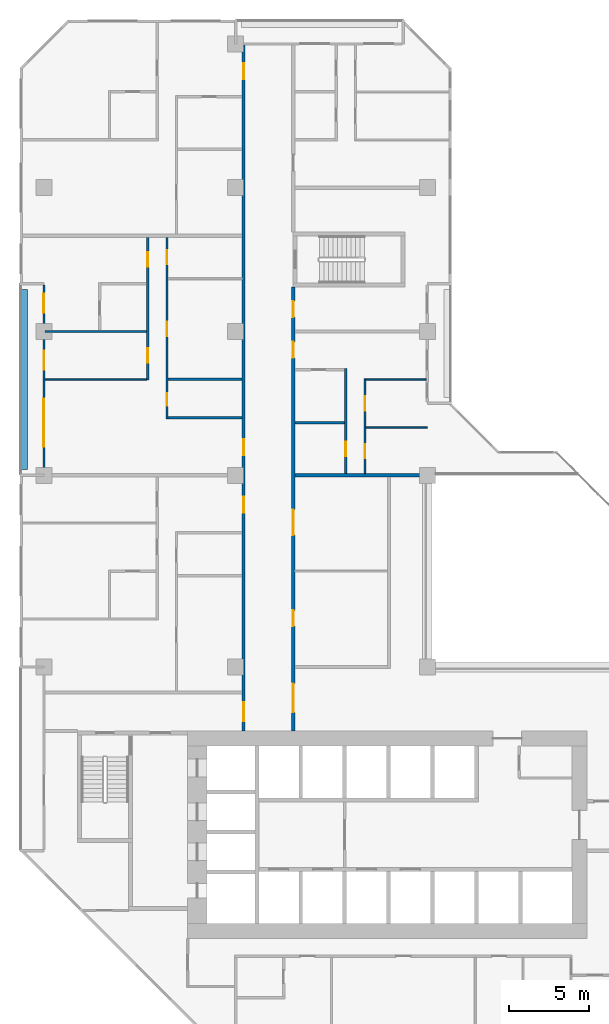
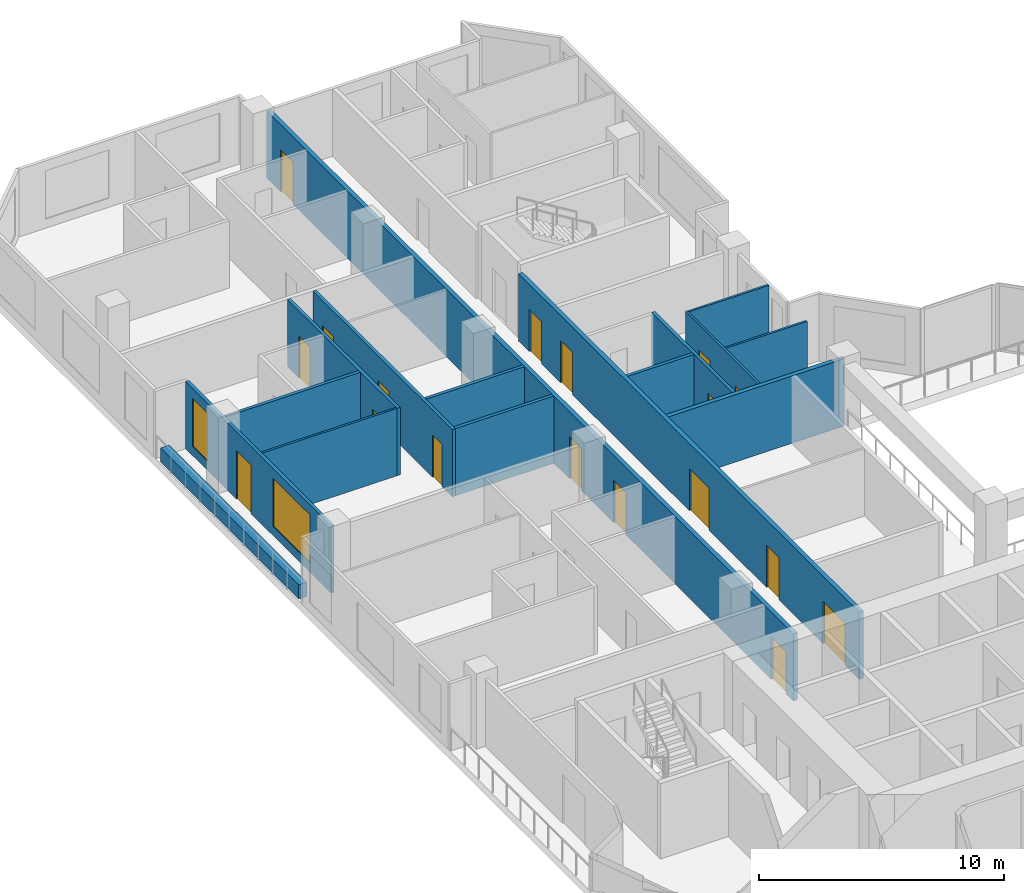
# One storey, part 9 of 15: 18 doors, 16 walls, 2 windows, 20 openings.
"""IFC4 building model written with IfcOpenShell, lengths in metres."""

from ifc_helpers import new_model, si_unit, direction, frame, frame_2d, origin, place, context, subcontext, project, spatial, rectangle, extrude, material, layer, layer_set, type_object, element, fill, save


model = new_model("IFC4")

# Units and contexts
model_context = context("Model", 3, precision=1e-05, world=origin(), true_north=direction((0.0, 1.0)))
body_context = subcontext(model_context, "Body", "Model", "MODEL_VIEW")
ifc_project = project(units=[si_unit("LENGTHUNIT", "METRE"), si_unit("AREAUNIT", "SQUARE_METRE"), si_unit("VOLUMEUNIT", "CUBIC_METRE"), si_unit("PLANEANGLEUNIT", "RADIAN"), si_unit("MASSUNIT", "GRAM", prefix="KILO")], contexts=[model_context])

# Site, building, storey
site_placement = place(None, origin())
site = spatial("IfcSite", under=ifc_project, at=site_placement, CompositionType="ELEMENT")
building_placement = place(site_placement, origin())
building = spatial("IfcBuilding", under=site, at=building_placement, Name="Chenar Terraces", CompositionType="ELEMENT")
storey_placement = place(building_placement, frame((0.0, 0.0, 133.14990234375)))
storey = spatial("IfcBuildingStorey", under=building, at=storey_placement, Name="L31", CompositionType="ELEMENT", Elevation=133.14990234375)

# Wall, openings, doors
ifc_material_1 = material(Name="Gypsum board on steel studs with fire boards", Category="steel")
ifc_layer_1 = layer(ifc_material_1, 0.199951171875)
ifc_layer_set_1 = layer_set([ifc_layer_1], Name="Gypsum board on steel studs with fire boards")
wall_type_1 = type_object("IfcWallType", Name="Corridor wall 200", PredefinedType="PARTITIONING", material=ifc_layer_set_1)
wall_1_placement = place(storey_placement, frame((12.5, 20.0, 0.0), z_axis=(0.0, 0.0, 1.0), x_axis=(0.0, 1.0, 0.0)))
wall_1 = element("IfcWall", 1, at=wall_1_placement, inside=storey, type_object=wall_type_1, Name="Partition L31-035", PredefinedType="PARTITIONING", context=body_context, shape_type="SweptSolid", body=[
    extrude(rectangle(XDim=42.926025390625, YDim=0.199951171875, at=frame_2d((21.462890625, 0.0))), origin(), (0.0, 0.0, 1.0), 3.35009765625),
])
opening_1_placement = place(wall_1_placement, frame((17.25, 0.0, 0.0)))
opening_1 = element("IfcOpeningElement", 2, at=opening_1_placement, cuts=wall_1, Name="Opening DL31-43", PredefinedType="OPENING", context=body_context, shape_type="SweptSolid", body=[
    extrude(rectangle(XDim=1.0, YDim=2.10009765625, at=frame_2d((0.5, 1.050048828125))), frame((0.0, 0.10986328125, 0.0), z_axis=(0.0, -1.0, 0.0), x_axis=(1.0, 0.0, 0.0)), (0.0, 0.0, 1.0), 0.219970703125),
])
opening_2_placement = place(wall_1_placement, frame((40.800048828125, 0.0, 0.0)))
opening_2 = element("IfcOpeningElement", 3, at=opening_2_placement, cuts=wall_1, Name="Opening DL31-49", PredefinedType="OPENING", context=body_context, shape_type="SweptSolid", body=[
    extrude(rectangle(XDim=1.0, YDim=2.10009765625, at=frame_2d((0.5, 1.050048828125))), frame((0.0, 0.10986328125, 0.0), z_axis=(0.0, -1.0, 0.0), x_axis=(1.0, 0.0, 0.0)), (0.0, 0.0, 1.0), 0.219970703125),
])
opening_3_placement = place(wall_1_placement, frame((0.60009765625, 0.0, 0.0)))
opening_3 = element("IfcOpeningElement", 4, at=opening_3_placement, cuts=wall_1, Name="Opening DL31-52", PredefinedType="OPENING", context=body_context, shape_type="SweptSolid", body=[
    extrude(rectangle(XDim=1.199951171875, YDim=2.10009765625, at=frame_2d((0.60009765625, 1.050048828125))), frame((0.0, 0.10986328125, 0.0), z_axis=(0.0, -1.0, 0.0), x_axis=(1.0, 0.0, 0.0)), (0.0, 0.0, 1.0), 0.219970703125),
])
opening_4_placement = place(wall_1_placement, frame((13.64990234375, 0.0, 0.0)))
opening_4 = element("IfcOpeningElement", 5, at=opening_4_placement, cuts=wall_1, Name="Opening DL31-73", PredefinedType="OPENING", context=body_context, shape_type="SweptSolid", body=[
    extrude(rectangle(XDim=1.0, YDim=2.10009765625, at=frame_2d((0.5, 1.050048828125))), frame((0.0, 0.10986328125, 0.0), z_axis=(0.0, -1.0, 0.0), x_axis=(1.0, 0.0, 0.0)), (0.0, 0.0, 1.0), 0.219970703125),
])
ifc_material_2 = material(Name="Steel-framed fire-resisting door leaf", Category="steel")
door_type_1 = type_object("IfcDoorType", Name="Fire door FD30S 1000 x 2100", OperationType="SINGLE_SWING_LEFT", PredefinedType="DOOR", material=ifc_material_2)
door_1_placement = place(opening_1_placement, origin())
door_1 = element("IfcDoor", 6, at=door_1_placement, inside=storey, type_object=door_type_1, Name="Door DL31-43", OperationType="SINGLE_SWING_LEFT", OverallHeight=2.10009765625, OverallWidth=1.0, PredefinedType="DOOR", context=body_context, shape_type="SweptSolid", body=[
    extrude(rectangle(XDim=1.0, YDim=2.10009765625, at=frame_2d((0.5, 1.050048828125))), frame((0.0, 0.02490234375, 0.0), z_axis=(0.0, -1.0, 0.0), x_axis=(1.0, 0.0, 0.0)), (0.0, 0.0, 1.0), 0.050048828125),
])
fill(opening_1, door_1)
door_2_placement = place(opening_2_placement, origin())
door_2 = element("IfcDoor", 7, at=door_2_placement, inside=storey, type_object=door_type_1, Name="Door DL31-49", OperationType="SINGLE_SWING_RIGHT", OverallHeight=2.10009765625, OverallWidth=1.0, PredefinedType="DOOR", context=body_context, shape_type="SweptSolid", body=[
    extrude(rectangle(XDim=1.0, YDim=2.10009765625, at=frame_2d((0.5, 1.050048828125))), frame((0.0, 0.02490234375, 0.0), z_axis=(0.0, -1.0, 0.0), x_axis=(1.0, 0.0, 0.0)), (0.0, 0.0, 1.0), 0.050048828125),
])
fill(opening_2, door_2)
door_3_placement = place(opening_4_placement, origin())
door_3 = element("IfcDoor", 8, at=door_3_placement, inside=storey, type_object=door_type_1, Name="Door DL31-73", OperationType="SINGLE_SWING_RIGHT", OverallHeight=2.10009765625, OverallWidth=1.0, PredefinedType="DOOR", context=body_context, shape_type="SweptSolid", body=[
    extrude(rectangle(XDim=1.0, YDim=2.10009765625, at=frame_2d((0.5, 1.050048828125))), frame((0.0, 0.02490234375, 0.0), z_axis=(0.0, -1.0, 0.0), x_axis=(1.0, 0.0, 0.0)), (0.0, 0.0, 1.0), 0.050048828125),
])
fill(opening_4, door_3)
ifc_material_3 = material(Name="Steel-framed fire-resisting door leaf", Category="steel")
door_type_2 = type_object("IfcDoorType", Name="Fire door FD30S 1200 x 2100", OperationType="SINGLE_SWING_LEFT", PredefinedType="DOOR", material=ifc_material_3)
door_4_placement = place(opening_3_placement, origin())
door_4 = element("IfcDoor", 9, at=door_4_placement, inside=storey, type_object=door_type_2, Name="Door DL31-52", OperationType="SINGLE_SWING_RIGHT", OverallHeight=2.10009765625, OverallWidth=1.199951171875, PredefinedType="DOOR", context=body_context, shape_type="SweptSolid", body=[
    extrude(rectangle(XDim=1.199951171875, YDim=2.10009765625, at=frame_2d((0.60009765625, 1.050048828125))), frame((0.0, 0.02490234375, 0.0), z_axis=(0.0, -1.0, 0.0), x_axis=(1.0, 0.0, 0.0)), (0.0, 0.0, 1.0), 0.050048828125),
])
fill(opening_3, door_4)

wall_2_placement = place(storey_placement, frame((15.60009765625, 20.0, 0.0), z_axis=(0.0, 0.0, 1.0), x_axis=(0.0, 1.0, 0.0)))
wall_2 = element("IfcWall", 10, at=wall_2_placement, inside=storey, type_object=wall_type_1, Name="Partition L31-037", PredefinedType="PARTITIONING", context=body_context, shape_type="SweptSolid", body=[
    extrude(rectangle(XDim=27.77490234375, YDim=0.199951171875, at=frame_2d((13.887451171875, 0.0))), origin(), (0.0, 0.0, 1.0), 3.35009765625),
])
opening_5_placement = place(wall_2_placement, frame((6.550048828125, 0.0, 0.0)))
opening_5 = element("IfcOpeningElement", 11, at=opening_5_placement, cuts=wall_2, Name="Opening DL31-1", PredefinedType="OPENING", context=body_context, shape_type="SweptSolid", body=[
    extrude(rectangle(XDim=1.0, YDim=2.10009765625, at=frame_2d((0.5, 1.050048828125))), frame((0.0, 0.10986328125, 0.0), z_axis=(0.0, -1.0, 0.0), x_axis=(1.0, 0.0, 0.0)), (0.0, 0.0, 1.0), 0.219970703125),
])
opening_6_placement = place(wall_2_placement, frame((12.25, 0.0, 0.0)))
opening_6 = element("IfcOpeningElement", 12, at=opening_6_placement, cuts=wall_2, Name="Opening DL31-2", PredefinedType="OPENING", context=body_context, shape_type="SweptSolid", body=[
    extrude(rectangle(XDim=1.60009765625, YDim=2.10009765625, at=frame_2d((0.800048828125, 1.050048828125))), frame((0.0, 0.10986328125, 0.0), z_axis=(0.0, -1.0, 0.0), x_axis=(1.0, 0.0, 0.0)), (0.0, 0.0, 1.0), 0.219970703125),
])
opening_7_placement = place(wall_2_placement, frame((23.35009765625, 0.0, 0.0)))
opening_7 = element("IfcOpeningElement", 13, at=opening_7_placement, cuts=wall_2, Name="Opening DL31-32", PredefinedType="OPENING", context=body_context, shape_type="SweptSolid", body=[
    extrude(rectangle(XDim=1.0, YDim=2.10009765625, at=frame_2d((0.5, 1.050048828125))), frame((0.0, 0.10986328125, 0.0), z_axis=(0.0, -1.0, 0.0), x_axis=(1.0, 0.0, 0.0)), (0.0, 0.0, 1.0), 0.219970703125),
])
opening_8_placement = place(wall_2_placement, frame((1.14990234375, 0.0, 0.0)))
opening_8 = element("IfcOpeningElement", 14, at=opening_8_placement, cuts=wall_2, Name="Opening DL31-51", PredefinedType="OPENING", context=body_context, shape_type="SweptSolid", body=[
    extrude(rectangle(XDim=1.800048828125, YDim=2.10009765625, at=frame_2d((0.89990234375, 1.050048828125))), frame((0.0, 0.10986328125, 0.0), z_axis=(0.0, -1.0, 0.0), x_axis=(1.0, 0.0, 0.0)), (0.0, 0.0, 1.0), 0.219970703125),
])
opening_9_placement = place(wall_2_placement, frame((25.89990234375, 0.0, 0.0)))
opening_9 = element("IfcOpeningElement", 15, at=opening_9_placement, cuts=wall_2, Name="Opening DL31-54", PredefinedType="OPENING", context=body_context, shape_type="SweptSolid", body=[
    extrude(rectangle(XDim=1.0, YDim=2.10009765625, at=frame_2d((0.5, 1.050048828125))), frame((0.0, 0.10986328125, 0.0), z_axis=(0.0, -1.0, 0.0), x_axis=(1.0, 0.0, 0.0)), (0.0, 0.0, 1.0), 0.219970703125),
])
ifc_material_4 = material(Name="Steel-framed fire-resisting door leaf", Category="steel")
door_type_3 = type_object("IfcDoorType", Name="Fire door FD60 1000 x 2100", OperationType="SINGLE_SWING_LEFT", PredefinedType="DOOR", material=ifc_material_4)
door_5_placement = place(opening_5_placement, frame((1.0, 0.0, 0.0), z_axis=(0.0, 0.0, 1.0), x_axis=(-1.0, 0.0, 0.0)))
door_5 = element("IfcDoor", 16, at=door_5_placement, inside=storey, type_object=door_type_3, Name="Door DL31-1", OperationType="SINGLE_SWING_LEFT", OverallHeight=2.10009765625, OverallWidth=1.0, PredefinedType="DOOR", context=body_context, shape_type="SweptSolid", body=[
    extrude(rectangle(XDim=1.0, YDim=2.10009765625, at=frame_2d((0.5, 1.050048828125))), frame((0.0, 0.02490234375, 0.0), z_axis=(0.0, -1.0, 0.0), x_axis=(1.0, 0.0, 0.0)), (0.0, 0.0, 1.0), 0.050048828125),
])
fill(opening_5, door_5)
door_6_placement = place(opening_7_placement, frame((1.0, 0.0, 0.0), z_axis=(0.0, 0.0, 1.0), x_axis=(-1.0, 0.0, 0.0)))
door_6 = element("IfcDoor", 17, at=door_6_placement, inside=storey, type_object=door_type_3, Name="Door DL31-32", OperationType="SINGLE_SWING_LEFT", OverallHeight=2.10009765625, OverallWidth=1.0, PredefinedType="DOOR", context=body_context, shape_type="SweptSolid", body=[
    extrude(rectangle(XDim=1.0, YDim=2.10009765625, at=frame_2d((0.5, 1.050048828125))), frame((0.0, 0.02490234375, 0.0), z_axis=(0.0, -1.0, 0.0), x_axis=(1.0, 0.0, 0.0)), (0.0, 0.0, 1.0), 0.050048828125),
])
fill(opening_7, door_6)
door_7_placement = place(opening_9_placement, frame((1.0, 0.0, 0.0), z_axis=(0.0, 0.0, 1.0), x_axis=(-1.0, 0.0, 0.0)))
door_7 = element("IfcDoor", 18, at=door_7_placement, inside=storey, type_object=door_type_3, Name="Door DL31-54", OperationType="SINGLE_SWING_RIGHT", OverallHeight=2.10009765625, OverallWidth=1.0, PredefinedType="DOOR", context=body_context, shape_type="SweptSolid", body=[
    extrude(rectangle(XDim=1.0, YDim=2.10009765625, at=frame_2d((0.5, 1.050048828125))), frame((0.0, 0.02490234375, 0.0), z_axis=(0.0, -1.0, 0.0), x_axis=(1.0, 0.0, 0.0)), (0.0, 0.0, 1.0), 0.050048828125),
])
fill(opening_9, door_7)
ifc_material_5 = material(Name="Steel-framed fire-resisting door leaf", Category="steel")
door_type_4 = type_object("IfcDoorType", Name="Fire double door FD60 1600 x 2100", OperationType="DOUBLE_DOOR_SINGLE_SWING", PredefinedType="DOOR", material=ifc_material_5)
door_8_placement = place(opening_6_placement, frame((1.60009765625, 0.0, 0.0), z_axis=(0.0, 0.0, 1.0), x_axis=(-1.0, 0.0, 0.0)))
door_8 = element("IfcDoor", 19, at=door_8_placement, inside=storey, type_object=door_type_4, Name="Door DL31-2", OperationType="DOUBLE_DOOR_SINGLE_SWING", OverallHeight=2.10009765625, OverallWidth=1.60009765625, PredefinedType="DOOR", context=body_context, shape_type="SweptSolid", body=[
    extrude(rectangle(XDim=1.60009765625, YDim=2.10009765625, at=frame_2d((0.800048828125, 1.050048828125))), frame((0.0, 0.02490234375, 0.0), z_axis=(0.0, -1.0, 0.0), x_axis=(1.0, 0.0, 0.0)), (0.0, 0.0, 1.0), 0.050048828125),
])
fill(opening_6, door_8)
ifc_material_6 = material(Name="Steel-framed fire-resisting door leaf", Category="steel")
door_type_5 = type_object("IfcDoorType", Name="Fire double door FD60 1800 x 2100", OperationType="DOUBLE_DOOR_SINGLE_SWING", PredefinedType="DOOR", material=ifc_material_6)
door_9_placement = place(opening_8_placement, frame((1.800048828125, 0.0, 0.0), z_axis=(0.0, 0.0, 1.0), x_axis=(-1.0, 0.0, 0.0)))
door_9 = element("IfcDoor", 20, at=door_9_placement, inside=storey, type_object=door_type_5, Name="Door DL31-51", OperationType="DOUBLE_DOOR_SINGLE_SWING", OverallHeight=2.10009765625, OverallWidth=1.800048828125, PredefinedType="DOOR", context=body_context, shape_type="SweptSolid", body=[
    extrude(rectangle(XDim=1.800048828125, YDim=2.10009765625, at=frame_2d((0.89990234375, 1.050048828125))), frame((0.0, 0.02490234375, 0.0), z_axis=(0.0, -1.0, 0.0), x_axis=(1.0, 0.0, 0.0)), (0.0, 0.0, 1.0), 0.050048828125),
])
fill(opening_8, door_9)

# Wall, openings, windows, door
ifc_material_7 = material(Name="Aluminium framed glazing", Category="aluminium")
ifc_layer_2 = layer(ifc_material_7, 0.14990234375)
ifc_layer_set_2 = layer_set([ifc_layer_2], Name="Aluminium framed glazing")
wall_type_2 = type_object("IfcWallType", Name="Glazed loggia back wall 150", PredefinedType="SOLIDWALL", material=ifc_layer_set_2)
wall_3_placement = place(storey_placement, frame((0.0, 47.925048828125, 0.0), z_axis=(0.0, 0.0, 1.0), x_axis=(0.0, -1.0, 0.0)))
wall_3 = element("IfcWall", 21, at=wall_3_placement, inside=storey, type_object=wall_type_2, Name="Glazed loggia back wall", PredefinedType="SOLIDWALL", context=body_context, shape_type="SweptSolid", body=[
    extrude(rectangle(XDim=11.85009765625, YDim=0.14990234375, at=frame_2d((5.925048828125, 0.0))), origin(), (0.0, 0.0, 1.0), 3.35009765625),
])
opening_10_placement = place(wall_3_placement, frame((0.5625, 0.0, 0.449951171875)))
opening_10 = element("IfcOpeningElement", 22, at=opening_10_placement, cuts=wall_3, Name="Opening W120x240", PredefinedType="OPENING", context=body_context, shape_type="SweptSolid", body=[
    extrude(rectangle(XDim=1.199951171875, YDim=2.39990234375, at=frame_2d((0.60009765625, 1.199951171875))), frame((0.0, 0.0849609375, 0.0), z_axis=(0.0, -1.0, 0.0), x_axis=(1.0, 0.0, 0.0)), (0.0, 0.0, 1.0), 0.169921875),
])
opening_11_placement = place(wall_3_placement, frame((4.125, 0.0, 0.0)))
opening_11 = element("IfcOpeningElement", 23, at=opening_11_placement, cuts=wall_3, Name="Opening DL31-G3", PredefinedType="OPENING", context=body_context, shape_type="SweptSolid", body=[
    extrude(rectangle(XDim=1.199951171875, YDim=2.39990234375, at=frame_2d((0.60009765625, 1.199951171875))), frame((0.0, 0.0849609375, 0.0), z_axis=(0.0, -1.0, 0.0), x_axis=(1.0, 0.0, 0.0)), (0.0, 0.0, 1.0), 0.169921875),
])
opening_12_placement = place(wall_3_placement, frame((7.125, 0.0, 0.449951171875)))
opening_12 = element("IfcOpeningElement", 24, at=opening_12_placement, cuts=wall_3, Name="Opening W300x240", PredefinedType="OPENING", context=body_context, shape_type="SweptSolid", body=[
    extrude(rectangle(XDim=3.0, YDim=2.39990234375, at=frame_2d((1.5, 1.199951171875))), frame((0.0, 0.0849609375, 0.0), z_axis=(0.0, -1.0, 0.0), x_axis=(1.0, 0.0, 0.0)), (0.0, 0.0, 1.0), 0.169921875),
])
ifc_material_8 = material(Name="Low emissivity double glazing, aluminium frame", Category="aluminium")
window_type_1 = type_object("IfcWindowType", Name="Fixed light 1200 x 2400", PartitioningType="SINGLE_PANEL", PredefinedType="WINDOW", material=ifc_material_8)
window_1_placement = place(opening_10_placement, origin())
window_1 = element("IfcWindow", 25, at=window_1_placement, inside=storey, type_object=window_type_1, Name="Window", OverallHeight=2.39990234375, OverallWidth=1.199951171875, PartitioningType="SINGLE_PANEL", PredefinedType="WINDOW", context=body_context, shape_type="SweptSolid", body=[
    extrude(rectangle(XDim=1.199951171875, YDim=2.39990234375, at=frame_2d((0.60009765625, 1.199951171875))), frame((0.0, 0.030029296875, 0.0), z_axis=(0.0, -1.0, 0.0), x_axis=(1.0, 0.0, 0.0)), (0.0, 0.0, 1.0), 0.06005859375),
])
fill(opening_10, window_1)
ifc_material_9 = material(Name="Low emissivity double glazing, aluminium frame", Category="aluminium")
window_type_2 = type_object("IfcWindowType", Name="Fixed light 3000 x 2400", PartitioningType="SINGLE_PANEL", PredefinedType="WINDOW", material=ifc_material_9)
window_2_placement = place(opening_12_placement, origin())
window_2 = element("IfcWindow", 26, at=window_2_placement, inside=storey, type_object=window_type_2, Name="Window", OverallHeight=2.39990234375, OverallWidth=3.0, PartitioningType="SINGLE_PANEL", PredefinedType="WINDOW", context=body_context, shape_type="SweptSolid", body=[
    extrude(rectangle(XDim=3.0, YDim=2.39990234375, at=frame_2d((1.5, 1.199951171875))), frame((0.0, 0.030029296875, 0.0), z_axis=(0.0, -1.0, 0.0), x_axis=(1.0, 0.0, 0.0)), (0.0, 0.0, 1.0), 0.06005859375),
])
fill(opening_12, window_2)
ifc_material_10 = material(Name="Low emissivity double glazing, aluminium frame", Category="aluminium")
door_type_6 = type_object("IfcDoorType", Name="Loggia glazed double door 1200 x 2400", OperationType="DOUBLE_DOOR_SINGLE_SWING", PredefinedType="DOOR", material=ifc_material_10)
door_10_placement = place(opening_11_placement, frame((1.199951171875, 0.0, 0.0), z_axis=(0.0, 0.0, 1.0), x_axis=(-1.0, 0.0, 0.0)))
door_10 = element("IfcDoor", 27, at=door_10_placement, inside=storey, type_object=door_type_6, Name="Loggia glazed door", OperationType="DOUBLE_DOOR_SINGLE_SWING", OverallHeight=2.39990234375, OverallWidth=1.199951171875, PredefinedType="DOOR", context=body_context, shape_type="SweptSolid", body=[
    extrude(rectangle(XDim=1.199951171875, YDim=2.39990234375, at=frame_2d((0.60009765625, 1.199951171875))), frame((0.0, 0.02490234375, 0.0), z_axis=(0.0, -1.0, 0.0), x_axis=(1.0, 0.0, 0.0)), (0.0, 0.0, 1.0), 0.050048828125),
])
fill(opening_11, door_10)

# Wall
ifc_material_11 = material(Name="Gypsum board on steel studs", Category="steel")
ifc_layer_3 = layer(ifc_material_11, 0.10009765625)
ifc_layer_set_3 = layer_set([ifc_layer_3], Name="Gypsum board on steel studs")
wall_type_3 = type_object("IfcWallType", Name="Gypsum partition 100", PredefinedType="PARTITIONING", material=ifc_layer_set_3)
wall_4_placement = place(storey_placement, frame((0.073974609375, 42.0, 0.0), z_axis=(0.0, 0.0, 1.0), x_axis=(1.0, 0.0, 0.0)))
element("IfcWall", 28, at=wall_4_placement, inside=storey, type_object=wall_type_3, Name="Partition L31-008", PredefinedType="PARTITIONING", context=body_context, shape_type="SweptSolid", body=[
    extrude(rectangle(XDim=6.35107421875, YDim=0.10009765625, at=frame_2d((3.175537109375, 0.0))), origin(), (0.0, 0.0, 1.0), 3.35009765625),
])

# Wall, openings, doors
wall_5_placement = place(storey_placement, frame((20.10009765625, 36.10009765625, 0.0), z_axis=(0.0, 0.0, 1.0), x_axis=(0.0, 1.0, 0.0)))
wall_5 = element("IfcWall", 29, at=wall_5_placement, inside=storey, type_object=wall_type_3, Name="Partition L31-054", PredefinedType="PARTITIONING", context=body_context, shape_type="SweptSolid", body=[
    extrude(rectangle(XDim=5.949951171875, YDim=0.10009765625, at=frame_2d((2.97509765625, 0.0))), origin(), (0.0, 0.0, 1.0), 3.35009765625),
])
opening_13_placement = place(wall_5_placement, frame((0.949951171875, 0.0, 0.0)))
opening_13 = element("IfcOpeningElement", 30, at=opening_13_placement, cuts=wall_5, Name="Opening DL31-29", PredefinedType="OPENING", context=body_context, shape_type="SweptSolid", body=[
    extrude(rectangle(XDim=0.89990234375, YDim=2.10009765625, at=frame_2d((0.449951171875, 1.050048828125))), frame((0.0, 0.06005859375, 0.0), z_axis=(0.0, -1.0, 0.0), x_axis=(1.0, 0.0, 0.0)), (0.0, 0.0, 1.0), 0.1201171875),
])
opening_14_placement = place(wall_5_placement, frame((3.949951171875, 0.0, 0.0)))
opening_14 = element("IfcOpeningElement", 31, at=opening_14_placement, cuts=wall_5, Name="Opening DL31-30", PredefinedType="OPENING", context=body_context, shape_type="SweptSolid", body=[
    extrude(rectangle(XDim=0.89990234375, YDim=2.10009765625, at=frame_2d((0.449951171875, 1.050048828125))), frame((0.0, 0.06005859375, 0.0), z_axis=(0.0, -1.0, 0.0), x_axis=(1.0, 0.0, 0.0)), (0.0, 0.0, 1.0), 0.1201171875),
])
ifc_material_12 = material(Name="Veneered timber door leaf", Category="wood")
door_type_7 = type_object("IfcDoorType", Name="Door 900 x 2100", OperationType="SINGLE_SWING_LEFT", PredefinedType="DOOR", material=ifc_material_12)
door_11_placement = place(opening_13_placement, frame((0.89990234375, 0.0, 0.0), z_axis=(0.0, 0.0, 1.0), x_axis=(-1.0, 0.0, 0.0)))
door_11 = element("IfcDoor", 32, at=door_11_placement, inside=storey, type_object=door_type_7, Name="Door DL31-29", OperationType="SINGLE_SWING_LEFT", OverallHeight=2.10009765625, OverallWidth=0.89990234375, PredefinedType="DOOR", context=body_context, shape_type="SweptSolid", body=[
    extrude(rectangle(XDim=0.89990234375, YDim=2.10009765625, at=frame_2d((0.449951171875, 1.050048828125))), frame((0.0, 0.02490234375, 0.0), z_axis=(0.0, -1.0, 0.0), x_axis=(1.0, 0.0, 0.0)), (0.0, 0.0, 1.0), 0.050048828125),
])
fill(opening_13, door_11)
door_12_placement = place(opening_14_placement, frame((0.89990234375, 0.0, 0.0), z_axis=(0.0, 0.0, 1.0), x_axis=(-1.0, 0.0, 0.0)))
door_12 = element("IfcDoor", 33, at=door_12_placement, inside=storey, type_object=door_type_7, Name="Door DL31-30", OperationType="SINGLE_SWING_LEFT", OverallHeight=2.10009765625, OverallWidth=0.89990234375, PredefinedType="DOOR", context=body_context, shape_type="SweptSolid", body=[
    extrude(rectangle(XDim=0.89990234375, YDim=2.10009765625, at=frame_2d((0.449951171875, 1.050048828125))), frame((0.0, 0.02490234375, 0.0), z_axis=(0.0, -1.0, 0.0), x_axis=(1.0, 0.0, 0.0)), (0.0, 0.0, 1.0), 0.050048828125),
])
fill(opening_14, door_12)

# Walls
wall_6_placement = place(storey_placement, frame((20.14990234375, 39.0, 0.0), z_axis=(0.0, 0.0, 1.0), x_axis=(1.0, 0.0, 0.0)))
element("IfcWall", 34, at=wall_6_placement, inside=storey, type_object=wall_type_3, Name="Partition L31-055", PredefinedType="PARTITIONING", context=body_context, shape_type="SweptSolid", body=[
    extrude(rectangle(XDim=3.85009765625, YDim=0.10009765625, at=frame_2d((1.925048828125, 0.0))), origin(), (0.0, 0.0, 1.0), 3.35009765625),
])
wall_7_placement = place(storey_placement, frame((20.14990234375, 42.0, 0.0), z_axis=(0.0, 0.0, 1.0), x_axis=(1.0, 0.0, 0.0)))
element("IfcWall", 35, at=wall_7_placement, inside=storey, type_object=wall_type_3, Name="Partition L31-056", PredefinedType="PARTITIONING", context=body_context, shape_type="SweptSolid", body=[
    extrude(rectangle(XDim=3.776123046875, YDim=0.10009765625, at=frame_2d((1.88818359375, 0.0))), origin(), (0.0, 0.0, 1.0), 3.35009765625),
])
ifc_material_13 = material(Name="Twin gypsum board on steel studs with mineral wool", Category="steel")
ifc_layer_4 = layer(ifc_material_13, 0.199951171875)
ifc_layer_set_4 = layer_set([ifc_layer_4], Name="Twin gypsum board on steel studs with mineral wool")
wall_type_4 = type_object("IfcWallType", Name="Unit demising wall 200", PredefinedType="PARTITIONING", material=ifc_layer_set_4)
wall_8_placement = place(storey_placement, frame((15.699951171875, 36.0, 0.0), z_axis=(0.0, 0.0, 1.0), x_axis=(1.0, 0.0, 0.0)))
element("IfcWall", 36, at=wall_8_placement, inside=storey, type_object=wall_type_4, Name="Partition L31-041", PredefinedType="PARTITIONING", context=body_context, shape_type="SweptSolid", body=[
    extrude(rectangle(XDim=8.300048828125, YDim=0.199951171875, at=frame_2d((4.14990234375, 0.0))), origin(), (0.0, 0.0, 1.0), 3.35009765625),
])
ifc_material_14 = material(Name="GRP planter trough")
ifc_layer_5 = layer(ifc_material_14, 0.39990234375)
ifc_layer_set_5 = layer_set([ifc_layer_5], Name="GRP planter trough")
wall_type_5 = type_object("IfcWallType", Name="Vertical greenery planter 400", PredefinedType="SOLIDWALL", material=ifc_layer_set_5)
wall_9_placement = place(storey_placement, frame((-1.22900390625, 47.625, 0.0), z_axis=(0.0, 0.0, 1.0), x_axis=(0.0, -1.0, 0.0)))
element("IfcWall", 37, at=wall_9_placement, inside=storey, type_object=wall_type_5, Name="Vertical greenery planter", PredefinedType="SOLIDWALL", context=body_context, shape_type="SweptSolid", body=[
    extrude(rectangle(XDim=11.25, YDim=0.39990234375, at=frame_2d((5.625, 0.0))), origin(), (0.0, 0.0, 1.0), 0.7001953125),
])
ifc_material_15 = material(Name="Moisture-resistant gypsum board on steel studs", Category="steel")
ifc_layer_6 = layer(ifc_material_15, 0.14990234375)
ifc_layer_set_6 = layer_set([ifc_layer_6], Name="Moisture-resistant gypsum board on steel studs")
wall_type_6 = type_object("IfcWallType", Name="Wet-room partition 150", PredefinedType="PARTITIONING", material=ifc_layer_set_6)
wall_10_placement = place(storey_placement, frame((0.073974609375, 45.0, 0.0), z_axis=(0.0, 0.0, 1.0), x_axis=(1.0, 0.0, 0.0)))
element("IfcWall", 38, at=wall_10_placement, inside=storey, type_object=wall_type_6, Name="Partition L31-009", PredefinedType="PARTITIONING", context=body_context, shape_type="SweptSolid", body=[
    extrude(rectangle(XDim=6.35107421875, YDim=0.14990234375, at=frame_2d((3.175537109375, 0.0))), origin(), (0.0, 0.0, 1.0), 3.35009765625),
])

# Wall, openings, doors
wall_11_placement = place(storey_placement, frame((6.5, 41.949951171875, 0.0), z_axis=(0.0, 0.0, 1.0), x_axis=(0.0, 1.0, 0.0)))
wall_11 = element("IfcWall", 39, at=wall_11_placement, inside=storey, type_object=wall_type_6, Name="Partition L31-017", PredefinedType="PARTITIONING", context=body_context, shape_type="SweptSolid", body=[
    extrude(rectangle(XDim=8.949951171875, YDim=0.14990234375, at=frame_2d((4.47509765625, 0.0))), origin(), (0.0, 0.0, 1.0), 3.35009765625),
])
opening_15_placement = place(wall_11_placement, frame((1.10009765625, 0.0, 0.0)))
opening_15 = element("IfcOpeningElement", 40, at=opening_15_placement, cuts=wall_11, Name="Opening DL31-39", PredefinedType="OPENING", context=body_context, shape_type="SweptSolid", body=[
    extrude(rectangle(XDim=0.89990234375, YDim=2.10009765625, at=frame_2d((0.449951171875, 1.050048828125))), frame((0.0, 0.0849609375, 0.0), z_axis=(0.0, -1.0, 0.0), x_axis=(1.0, 0.0, 0.0)), (0.0, 0.0, 1.0), 0.169921875),
])
opening_16_placement = place(wall_11_placement, frame((7.10009765625, 0.0, 0.0)))
opening_16 = element("IfcOpeningElement", 41, at=opening_16_placement, cuts=wall_11, Name="Opening DL31-40", PredefinedType="OPENING", context=body_context, shape_type="SweptSolid", body=[
    extrude(rectangle(XDim=0.89990234375, YDim=2.10009765625, at=frame_2d((0.449951171875, 1.050048828125))), frame((0.0, 0.0849609375, 0.0), z_axis=(0.0, -1.0, 0.0), x_axis=(1.0, 0.0, 0.0)), (0.0, 0.0, 1.0), 0.169921875),
])
door_13_placement = place(opening_15_placement, origin())
door_13 = element("IfcDoor", 42, at=door_13_placement, inside=storey, type_object=door_type_7, Name="Door DL31-39", OperationType="SINGLE_SWING_LEFT", OverallHeight=2.10009765625, OverallWidth=0.89990234375, PredefinedType="DOOR", context=body_context, shape_type="SweptSolid", body=[
    extrude(rectangle(XDim=0.89990234375, YDim=2.10009765625, at=frame_2d((0.449951171875, 1.050048828125))), frame((0.0, 0.02490234375, 0.0), z_axis=(0.0, -1.0, 0.0), x_axis=(1.0, 0.0, 0.0)), (0.0, 0.0, 1.0), 0.050048828125),
])
fill(opening_15, door_13)
door_14_placement = place(opening_16_placement, origin())
door_14 = element("IfcDoor", 43, at=door_14_placement, inside=storey, type_object=door_type_7, Name="Door DL31-40", OperationType="SINGLE_SWING_LEFT", OverallHeight=2.10009765625, OverallWidth=0.89990234375, PredefinedType="DOOR", context=body_context, shape_type="SweptSolid", body=[
    extrude(rectangle(XDim=0.89990234375, YDim=2.10009765625, at=frame_2d((0.449951171875, 1.050048828125))), frame((0.0, 0.02490234375, 0.0), z_axis=(0.0, -1.0, 0.0), x_axis=(1.0, 0.0, 0.0)), (0.0, 0.0, 1.0), 0.050048828125),
])
fill(opening_16, door_14)

wall_12_placement = place(storey_placement, frame((7.699951171875, 39.52490234375, 0.0), z_axis=(0.0, 0.0, 1.0), x_axis=(0.0, 1.0, 0.0)))
wall_12 = element("IfcWall", 44, at=wall_12_placement, inside=storey, type_object=wall_type_6, Name="Partition L31-020", PredefinedType="PARTITIONING", context=body_context, shape_type="SweptSolid", body=[
    extrude(rectangle(XDim=11.375, YDim=0.14990234375, at=frame_2d((5.6875, 0.0))), origin(), (0.0, 0.0, 1.0), 3.35009765625),
])
opening_17_placement = place(wall_12_placement, frame((0.824951171875, 0.0, 0.0)))
opening_17 = element("IfcOpeningElement", 45, at=opening_17_placement, cuts=wall_12, Name="Opening DL31-38", PredefinedType="OPENING", context=body_context, shape_type="SweptSolid", body=[
    extrude(rectangle(XDim=0.800048828125, YDim=2.10009765625, at=frame_2d((0.39990234375, 1.050048828125))), frame((0.0, 0.0849609375, 0.0), z_axis=(0.0, -1.0, 0.0), x_axis=(1.0, 0.0, 0.0)), (0.0, 0.0, 1.0), 0.169921875),
])
opening_18_placement = place(wall_12_placement, frame((5.175048828125, 0.0, 0.0)))
opening_18 = element("IfcOpeningElement", 46, at=opening_18_placement, cuts=wall_12, Name="Opening DL31-42", PredefinedType="OPENING", context=body_context, shape_type="SweptSolid", body=[
    extrude(rectangle(XDim=0.89990234375, YDim=2.10009765625, at=frame_2d((0.449951171875, 1.050048828125))), frame((0.0, 0.0849609375, 0.0), z_axis=(0.0, -1.0, 0.0), x_axis=(1.0, 0.0, 0.0)), (0.0, 0.0, 1.0), 0.169921875),
])
opening_19_placement = place(wall_12_placement, frame((9.675048828125, 0.0, 0.0)))
opening_19 = element("IfcOpeningElement", 47, at=opening_19_placement, cuts=wall_12, Name="Opening DL31-44", PredefinedType="OPENING", context=body_context, shape_type="SweptSolid", body=[
    extrude(rectangle(XDim=0.89990234375, YDim=2.10009765625, at=frame_2d((0.449951171875, 1.050048828125))), frame((0.0, 0.0849609375, 0.0), z_axis=(0.0, -1.0, 0.0), x_axis=(1.0, 0.0, 0.0)), (0.0, 0.0, 1.0), 0.169921875),
])
ifc_material_16 = material(Name="Veneered timber door leaf", Category="wood")
door_type_8 = type_object("IfcDoorType", Name="Door 800 x 2100", OperationType="SINGLE_SWING_LEFT", PredefinedType="DOOR", material=ifc_material_16)
door_15_placement = place(opening_17_placement, frame((0.800048828125, 0.0, 0.0), z_axis=(0.0, 0.0, 1.0), x_axis=(-1.0, 0.0, 0.0)))
door_15 = element("IfcDoor", 48, at=door_15_placement, inside=storey, type_object=door_type_8, Name="Door DL31-38", OperationType="SINGLE_SWING_RIGHT", OverallHeight=2.10009765625, OverallWidth=0.800048828125, PredefinedType="DOOR", context=body_context, shape_type="SweptSolid", body=[
    extrude(rectangle(XDim=0.800048828125, YDim=2.10009765625, at=frame_2d((0.39990234375, 1.050048828125))), frame((0.0, 0.02490234375, 0.0), z_axis=(0.0, -1.0, 0.0), x_axis=(1.0, 0.0, 0.0)), (0.0, 0.0, 1.0), 0.050048828125),
])
fill(opening_17, door_15)
door_16_placement = place(opening_18_placement, frame((0.89990234375, 0.0, 0.0), z_axis=(0.0, 0.0, 1.0), x_axis=(-1.0, 0.0, 0.0)))
door_16 = element("IfcDoor", 49, at=door_16_placement, inside=storey, type_object=door_type_7, Name="Door DL31-42", OperationType="SINGLE_SWING_LEFT", OverallHeight=2.10009765625, OverallWidth=0.89990234375, PredefinedType="DOOR", context=body_context, shape_type="SweptSolid", body=[
    extrude(rectangle(XDim=0.89990234375, YDim=2.10009765625, at=frame_2d((0.449951171875, 1.050048828125))), frame((0.0, 0.02490234375, 0.0), z_axis=(0.0, -1.0, 0.0), x_axis=(1.0, 0.0, 0.0)), (0.0, 0.0, 1.0), 0.050048828125),
])
fill(opening_18, door_16)
door_17_placement = place(opening_19_placement, frame((0.89990234375, 0.0, 0.0), z_axis=(0.0, 0.0, 1.0), x_axis=(-1.0, 0.0, 0.0)))
door_17 = element("IfcDoor", 50, at=door_17_placement, inside=storey, type_object=door_type_7, Name="Door DL31-44", OperationType="SINGLE_SWING_LEFT", OverallHeight=2.10009765625, OverallWidth=0.89990234375, PredefinedType="DOOR", context=body_context, shape_type="SweptSolid", body=[
    extrude(rectangle(XDim=0.89990234375, YDim=2.10009765625, at=frame_2d((0.449951171875, 1.050048828125))), frame((0.0, 0.02490234375, 0.0), z_axis=(0.0, -1.0, 0.0), x_axis=(1.0, 0.0, 0.0)), (0.0, 0.0, 1.0), 0.050048828125),
])
fill(opening_19, door_17)

# Walls
for number, where, z_axis, x_axis, name in (
    (51, (7.77490234375, 39.60009765625, 0.0), (0.0, 0.0, 1.0), (1.0, 0.0, 0.0), "Partition L31-021"),
    (52, (7.77490234375, 42.0, 0.0), (0.0, 0.0, 1.0), (1.0, 0.0, 0.0), "Partition L31-022"),
):
    element("IfcWall", number, at=place(storey_placement, frame(where, z_axis=z_axis, x_axis=x_axis)), inside=storey, type_object=wall_type_6, Name=name, PredefinedType="PARTITIONING", context=body_context, shape_type="SweptSolid", body=[
        extrude(rectangle(XDim=4.625, YDim=0.14990234375, at=frame_2d((2.3125, 0.0))), origin(), (0.0, 0.0, 1.0), 3.35009765625),
    ])
wall_13_placement = place(storey_placement, frame((15.699951171875, 39.300048828125, 0.0), z_axis=(0.0, 0.0, 1.0), x_axis=(1.0, 0.0, 0.0)))
element("IfcWall", 53, at=wall_13_placement, inside=storey, type_object=wall_type_6, Name="Partition L31-042", PredefinedType="PARTITIONING", context=body_context, shape_type="SweptSolid", body=[
    extrude(rectangle(XDim=3.125, YDim=0.14990234375, at=frame_2d((1.5625, 0.0))), origin(), (0.0, 0.0, 1.0), 3.35009765625),
])

# Wall, opening, door
wall_14_placement = place(storey_placement, frame((18.89990234375, 36.10009765625, 0.0), z_axis=(0.0, 0.0, 1.0), x_axis=(0.0, 1.0, 0.0)))
wall_14 = element("IfcWall", 54, at=wall_14_placement, inside=storey, type_object=wall_type_6, Name="Partition L31-050", PredefinedType="PARTITIONING", context=body_context, shape_type="SweptSolid", body=[
    extrude(rectangle(XDim=6.574951171875, YDim=0.14990234375, at=frame_2d((3.28759765625, 0.0))), origin(), (0.0, 0.0, 1.0), 3.35009765625),
])
opening_20_placement = place(wall_14_placement, frame((1.10009765625, 0.0, 0.0)))
opening_20 = element("IfcOpeningElement", 55, at=opening_20_placement, cuts=wall_14, Name="Opening DL31-31", PredefinedType="OPENING", context=body_context, shape_type="SweptSolid", body=[
    extrude(rectangle(XDim=0.89990234375, YDim=2.10009765625, at=frame_2d((0.449951171875, 1.050048828125))), frame((0.0, 0.0849609375, 0.0), z_axis=(0.0, -1.0, 0.0), x_axis=(1.0, 0.0, 0.0)), (0.0, 0.0, 1.0), 0.169921875),
])
door_18_placement = place(opening_20_placement, origin())
door_18 = element("IfcDoor", 56, at=door_18_placement, inside=storey, type_object=door_type_7, Name="Door DL31-31", OperationType="SINGLE_SWING_LEFT", OverallHeight=2.10009765625, OverallWidth=0.89990234375, PredefinedType="DOOR", context=body_context, shape_type="SweptSolid", body=[
    extrude(rectangle(XDim=0.89990234375, YDim=2.10009765625, at=frame_2d((0.449951171875, 1.050048828125))), frame((0.0, 0.02490234375, 0.0), z_axis=(0.0, -1.0, 0.0), x_axis=(1.0, 0.0, 0.0)), (0.0, 0.0, 1.0), 0.050048828125),
])
fill(opening_20, door_18)

save(model, "model.ifc")
